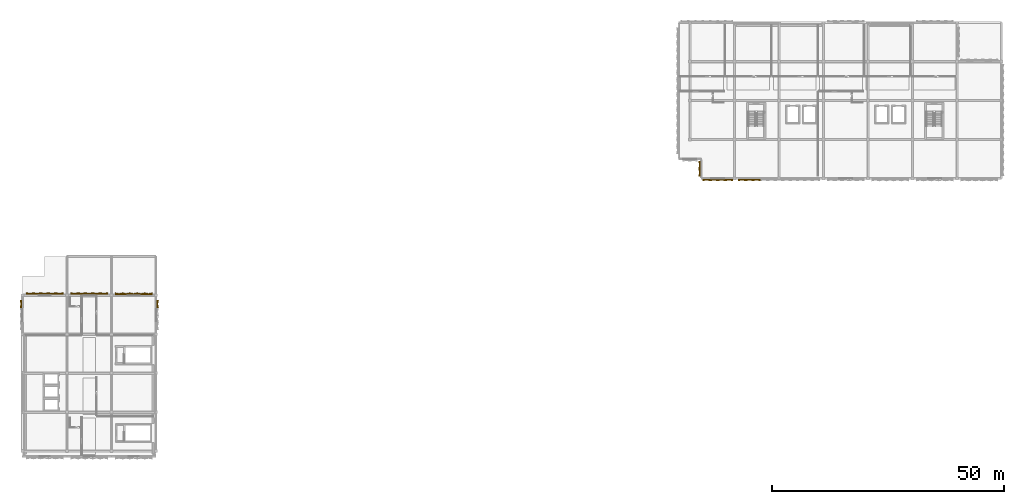
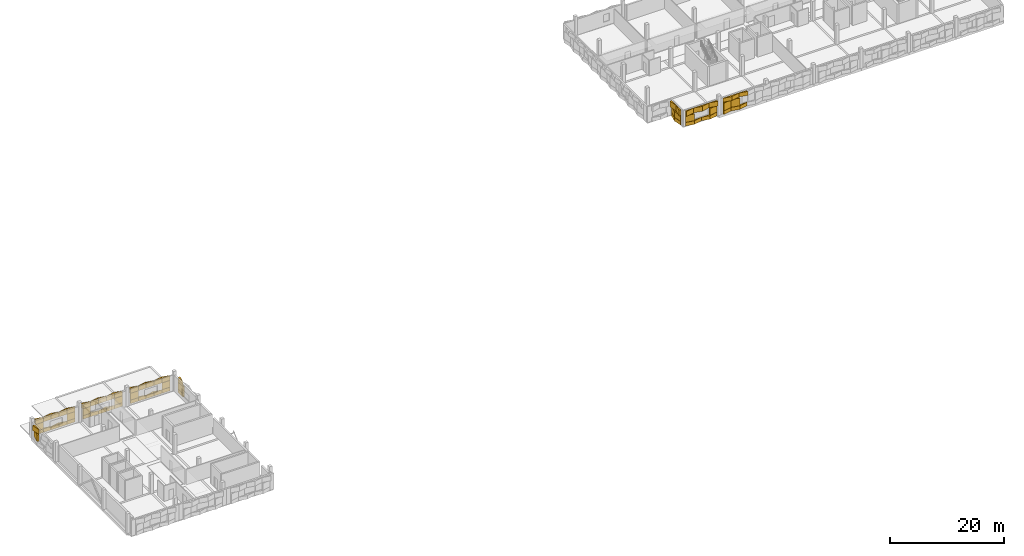
# One storey, part 13 of 18: 65 coverings.
"""IFC4 building model written with IfcOpenShell, lengths in metres."""

from ifc_helpers import new_model, si_unit, direction, frame, origin, place, context, subcontext, project, spatial, polyline, outline, extrude, material, type_object, element, save


model = new_model("IFC4")

# Units and contexts
model_context = context("Model", 3, precision=1e-05, world=origin(), true_north=direction((0.0, 1.0)))
body_context = subcontext(model_context, "Body", "Model", "MODEL_VIEW")
ifc_project = project(units=[si_unit("LENGTHUNIT", "METRE"), si_unit("AREAUNIT", "SQUARE_METRE"), si_unit("VOLUMEUNIT", "CUBIC_METRE"), si_unit("PLANEANGLEUNIT", "RADIAN"), si_unit("MASSUNIT", "GRAM", prefix="KILO")], contexts=[model_context])

# Site, building, storey
site_placement = place(None, origin())
site = spatial("IfcSite", under=ifc_project, at=site_placement, CompositionType="ELEMENT")
building_placement = place(site_placement, origin())
building = spatial("IfcBuilding", under=site, at=building_placement, Name="Oolite Switchyard Hospital", CompositionType="ELEMENT")
storey_placement = place(building_placement, frame((0.0, 0.0, 26.199951171875)))
storey = spatial("IfcBuildingStorey", under=building, at=storey_placement, Name="L06", CompositionType="ELEMENT", Elevation=26.199951171875)

# Coverings
ifc_material = material(Name="Precast oolitic limestone architectural concrete C40/50", Category="masonry")
covering_type_1 = type_object("IfcCoveringType", Name="COV-CHEV-COOL", PredefinedType="CLADDING", material=ifc_material)
covering_1_placement = place(storey_placement, frame((153.199951171875, 100.659912109375, 0.050048828125), z_axis=(0.0, 0.0, 1.0), x_axis=(-1.0, 0.0, 0.0)))
element("IfcCovering", 1, at=covering_1_placement, inside=storey, type_object=covering_type_1, Name="L06 Chevron Precast Oolite Panel 1434", PredefinedType="CLADDING", context=body_context, shape_type="SweptSolid", body=[
    extrude(outline(polyline([(0.0, 0.0), (1.599853515625, 0.0), (1.599853515625, 0.385009765625), (0.0, 0.044921875), (0.0, 0.0)])), origin(), (0.0, 0.0, 1.0), 0.760009765625),
])
covering_2_placement = place(storey_placement, frame((153.199951171875, 100.659912109375, 2.2900390625), z_axis=(0.0, 0.0, 1.0), x_axis=(-1.0, 0.0, 0.0)))
element("IfcCovering", 2, at=covering_2_placement, inside=storey, type_object=covering_type_1, Name="L06 Chevron Precast Oolite Panel 1435", PredefinedType="CLADDING", context=body_context, shape_type="SweptSolid", body=[
    extrude(outline(polyline([(0.0, 0.0), (1.599853515625, 0.0), (1.599853515625, 0.044921875), (0.0, 0.385009765625), (0.0, 0.0)])), origin(), (0.0, 0.0, 1.0), 1.050048828125),
])
covering_3_placement = place(storey_placement, frame((153.199951171875, 100.659912109375, 0.830078125), z_axis=(0.0, 0.0, 1.0), x_axis=(-1.0, 0.0, 0.0)))
element("IfcCovering", 3, at=covering_3_placement, inside=storey, type_object=covering_type_1, Name="L06 Chevron Precast Oolite Panel 1436", PredefinedType="CLADDING", context=body_context, shape_type="SweptSolid", body=[
    extrude(outline(polyline([(0.0, 0.0), (1.599853515625, 0.0), (1.599853515625, 0.385009765625), (0.0, 0.044921875), (0.0, 0.0)])), origin(), (0.0, 0.0, 1.0), 1.43994140625),
])
covering_4_placement = place(storey_placement, frame((151.60009765625, 100.659912109375, 0.050048828125), z_axis=(0.0, 0.0, 1.0), x_axis=(-1.0, 0.0, 0.0)))
element("IfcCovering", 4, at=covering_4_placement, inside=storey, type_object=covering_type_1, Name="L06 Chevron Precast Oolite Panel 1437", PredefinedType="CLADDING", context=body_context, shape_type="SweptSolid", body=[
    extrude(outline(polyline([(0.0, 0.0), (1.60009765625, 0.0), (1.60009765625, 0.044921875), (0.0, 0.385009765625), (0.0, 0.0)])), origin(), (0.0, 0.0, 1.0), 0.760009765625),
])
covering_5_placement = place(storey_placement, frame((151.60009765625, 100.659912109375, 2.2900390625), z_axis=(0.0, 0.0, 1.0), x_axis=(-1.0, 0.0, 0.0)))
element("IfcCovering", 5, at=covering_5_placement, inside=storey, type_object=covering_type_1, Name="L06 Chevron Precast Oolite Panel 1438", PredefinedType="CLADDING", context=body_context, shape_type="SweptSolid", body=[
    extrude(outline(polyline([(0.0, 0.0), (1.60009765625, 0.0), (1.60009765625, 0.385009765625), (0.0, 0.044921875), (0.0, 0.0)])), origin(), (0.0, 0.0, 1.0), 1.050048828125),
])
covering_6_placement = place(storey_placement, frame((150.0, 100.659912109375, 0.050048828125), z_axis=(0.0, 0.0, 1.0), x_axis=(-1.0, 0.0, 0.0)))
element("IfcCovering", 6, at=covering_6_placement, inside=storey, type_object=covering_type_1, Name="L06 Chevron Precast Oolite Panel 1439", PredefinedType="CLADDING", context=body_context, shape_type="SweptSolid", body=[
    extrude(outline(polyline([(0.0, 0.0), (1.60009765625, 0.0), (1.60009765625, 0.385009765625), (0.0, 0.044921875), (0.0, 0.0)])), origin(), (0.0, 0.0, 1.0), 0.760009765625),
])
covering_7_placement = place(storey_placement, frame((150.0, 100.659912109375, 2.2900390625), z_axis=(0.0, 0.0, 1.0), x_axis=(-1.0, 0.0, 0.0)))
element("IfcCovering", 7, at=covering_7_placement, inside=storey, type_object=covering_type_1, Name="L06 Chevron Precast Oolite Panel 1440", PredefinedType="CLADDING", context=body_context, shape_type="SweptSolid", body=[
    extrude(outline(polyline([(0.0, 0.0), (1.60009765625, 0.0), (1.60009765625, 0.044921875), (0.0, 0.385009765625), (0.0, 0.0)])), origin(), (0.0, 0.0, 1.0), 1.050048828125),
])
covering_8_placement = place(storey_placement, frame((148.39990234375, 100.659912109375, 0.050048828125), z_axis=(0.0, 0.0, 1.0), x_axis=(-1.0, 0.0, 0.0)))
element("IfcCovering", 8, at=covering_8_placement, inside=storey, type_object=covering_type_1, Name="L06 Chevron Precast Oolite Panel 1441", PredefinedType="CLADDING", context=body_context, shape_type="SweptSolid", body=[
    extrude(outline(polyline([(0.0, 0.0), (1.599853515625, 0.0), (1.599853515625, 0.044921875), (0.0, 0.385009765625), (0.0, 0.0)])), origin(), (0.0, 0.0, 1.0), 0.760009765625),
])
covering_9_placement = place(storey_placement, frame((148.39990234375, 100.659912109375, 2.2900390625), z_axis=(0.0, 0.0, 1.0), x_axis=(-1.0, 0.0, 0.0)))
element("IfcCovering", 9, at=covering_9_placement, inside=storey, type_object=covering_type_1, Name="L06 Chevron Precast Oolite Panel 1442", PredefinedType="CLADDING", context=body_context, shape_type="SweptSolid", body=[
    extrude(outline(polyline([(0.0, 0.0), (1.599853515625, 0.0), (1.599853515625, 0.385009765625), (0.0, 0.044921875), (0.0, 0.0)])), origin(), (0.0, 0.0, 1.0), 1.050048828125),
])
covering_10_placement = place(storey_placement, frame((148.39990234375, 100.659912109375, 0.830078125), z_axis=(0.0, 0.0, 1.0), x_axis=(-1.0, 0.0, 0.0)))
element("IfcCovering", 10, at=covering_10_placement, inside=storey, type_object=covering_type_1, Name="L06 Chevron Precast Oolite Panel 1443", PredefinedType="CLADDING", context=body_context, shape_type="SweptSolid", body=[
    extrude(outline(polyline([(0.0, 0.0), (1.599853515625, 0.0), (1.599853515625, 0.044921875), (0.0, 0.385009765625), (0.0, 0.0)])), origin(), (0.0, 0.0, 1.0), 1.43994140625),
])
covering_11_placement = place(storey_placement, frame((159.199951171875, 100.64990234375, 0.050048828125), z_axis=(0.0, 0.0, 1.0), x_axis=(-1.0, 0.0, 0.0)))
element("IfcCovering", 11, at=covering_11_placement, inside=storey, type_object=covering_type_1, Name="L06 Chevron Precast Oolite Panel 1465", PredefinedType="CLADDING", context=body_context, shape_type="SweptSolid", body=[
    extrude(outline(polyline([(0.0, 0.0), (1.599853515625, 0.0), (1.599853515625, 0.385009765625), (0.0, 0.044921875), (0.0, 0.0)])), origin(), (0.0, 0.0, 1.0), 0.760009765625),
])
covering_12_placement = place(storey_placement, frame((159.199951171875, 100.64990234375, 2.489990234375), z_axis=(0.0, 0.0, 1.0), x_axis=(-1.0, 0.0, 0.0)))
element("IfcCovering", 12, at=covering_12_placement, inside=storey, type_object=covering_type_1, Name="L06 Chevron Precast Oolite Panel 1466", PredefinedType="CLADDING", context=body_context, shape_type="SweptSolid", body=[
    extrude(outline(polyline([(0.0, 0.0), (1.599853515625, 0.0), (1.599853515625, 0.044921875), (0.0, 0.385009765625), (0.0, 0.0)])), origin(), (0.0, 0.0, 1.0), 0.85009765625),
])
covering_13_placement = place(storey_placement, frame((157.60009765625, 100.64990234375, 0.050048828125), z_axis=(0.0, 0.0, 1.0), x_axis=(-1.0, 0.0, 0.0)))
element("IfcCovering", 13, at=covering_13_placement, inside=storey, type_object=covering_type_1, Name="L06 Chevron Precast Oolite Panel 1467", PredefinedType="CLADDING", context=body_context, shape_type="SweptSolid", body=[
    extrude(outline(polyline([(0.0, 0.0), (1.60009765625, 0.0), (1.60009765625, 0.044921875), (0.0, 0.385009765625), (0.0, 0.0)])), origin(), (0.0, 0.0, 1.0), 0.760009765625),
])
covering_14_placement = place(storey_placement, frame((157.60009765625, 100.64990234375, 2.489990234375), z_axis=(0.0, 0.0, 1.0), x_axis=(-1.0, 0.0, 0.0)))
element("IfcCovering", 14, at=covering_14_placement, inside=storey, type_object=covering_type_1, Name="L06 Chevron Precast Oolite Panel 1468", PredefinedType="CLADDING", context=body_context, shape_type="SweptSolid", body=[
    extrude(outline(polyline([(0.0, 0.0), (1.60009765625, 0.0), (1.60009765625, 0.385009765625), (0.0, 0.044921875), (0.0, 0.0)])), origin(), (0.0, 0.0, 1.0), 0.85009765625),
])
covering_15_placement = place(storey_placement, frame((157.60009765625, 100.64990234375, 0.830078125), z_axis=(0.0, 0.0, 1.0), x_axis=(-1.0, 0.0, 0.0)))
element("IfcCovering", 15, at=covering_15_placement, inside=storey, type_object=covering_type_1, Name="L06 Chevron Precast Oolite Panel 1469", PredefinedType="CLADDING", context=body_context, shape_type="SweptSolid", body=[
    extrude(outline(polyline([(0.0, 0.0), (1.60009765625, 0.0), (1.60009765625, 0.044921875), (0.0, 0.385009765625), (0.0, 0.0)])), origin(), (0.0, 0.0, 1.0), 1.639892578125),
])
covering_16_placement = place(storey_placement, frame((156.0, 100.64990234375, 0.050048828125), z_axis=(0.0, 0.0, 1.0), x_axis=(-1.0, 0.0, 0.0)))
element("IfcCovering", 16, at=covering_16_placement, inside=storey, type_object=covering_type_1, Name="L06 Chevron Precast Oolite Panel 1470", PredefinedType="CLADDING", context=body_context, shape_type="SweptSolid", body=[
    extrude(outline(polyline([(0.0, 0.0), (1.60009765625, 0.0), (1.60009765625, 0.385009765625), (0.0, 0.044921875), (0.0, 0.0)])), origin(), (0.0, 0.0, 1.0), 0.760009765625),
])
covering_17_placement = place(storey_placement, frame((156.0, 100.64990234375, 2.489990234375), z_axis=(0.0, 0.0, 1.0), x_axis=(-1.0, 0.0, 0.0)))
element("IfcCovering", 17, at=covering_17_placement, inside=storey, type_object=covering_type_1, Name="L06 Chevron Precast Oolite Panel 1471", PredefinedType="CLADDING", context=body_context, shape_type="SweptSolid", body=[
    extrude(outline(polyline([(0.0, 0.0), (1.60009765625, 0.0), (1.60009765625, 0.044921875), (0.0, 0.385009765625), (0.0, 0.0)])), origin(), (0.0, 0.0, 1.0), 0.85009765625),
])
covering_18_placement = place(storey_placement, frame((156.0, 100.64990234375, 0.830078125), z_axis=(0.0, 0.0, 1.0), x_axis=(-1.0, 0.0, 0.0)))
element("IfcCovering", 18, at=covering_18_placement, inside=storey, type_object=covering_type_1, Name="L06 Chevron Precast Oolite Panel 1472", PredefinedType="CLADDING", context=body_context, shape_type="SweptSolid", body=[
    extrude(outline(polyline([(0.0, 0.0), (1.60009765625, 0.0), (1.60009765625, 0.385009765625), (0.0, 0.044921875), (0.0, 0.0)])), origin(), (0.0, 0.0, 1.0), 1.639892578125),
])
covering_19_placement = place(storey_placement, frame((146.260009765625, 101.300048828125, 0.050048828125), z_axis=(0.0, 0.0, 1.0), x_axis=(0.0, 1.0, 0.0)))
element("IfcCovering", 19, at=covering_19_placement, inside=storey, type_object=covering_type_1, Name="L06 Chevron Precast Oolite Panel 1642", PredefinedType="CLADDING", context=body_context, shape_type="SweptSolid", body=[
    extrude(outline(polyline([(0.0, 0.0), (1.599853515625, 0.0), (1.599853515625, 0.385009765625), (0.0, 0.044921875), (0.0, 0.0)])), origin(), (0.0, 0.0, 1.0), 0.760009765625),
])
covering_20_placement = place(storey_placement, frame((146.260009765625, 101.300048828125, 2.090087890625), z_axis=(0.0, 0.0, 1.0), x_axis=(0.0, 1.0, 0.0)))
element("IfcCovering", 20, at=covering_20_placement, inside=storey, type_object=covering_type_1, Name="L06 Chevron Precast Oolite Panel 1643", PredefinedType="CLADDING", context=body_context, shape_type="SweptSolid", body=[
    extrude(outline(polyline([(0.0, 0.0), (1.599853515625, 0.0), (1.599853515625, 0.044921875), (0.0, 0.385009765625), (0.0, 0.0)])), origin(), (0.0, 0.0, 1.0), 1.25),
])
covering_21_placement = place(storey_placement, frame((146.260009765625, 101.300048828125, 0.830078125), z_axis=(0.0, 0.0, 1.0), x_axis=(0.0, 1.0, 0.0)))
element("IfcCovering", 21, at=covering_21_placement, inside=storey, type_object=covering_type_1, Name="L06 Chevron Precast Oolite Panel 1644", PredefinedType="CLADDING", context=body_context, shape_type="SweptSolid", body=[
    extrude(outline(polyline([(0.0, 0.0), (1.599853515625, 0.0), (1.599853515625, 0.385009765625), (0.0, 0.044921875), (0.0, 0.0)])), origin(), (0.0, 0.0, 1.0), 1.239990234375),
])
covering_22_placement = place(storey_placement, frame((146.260009765625, 102.89990234375, 0.050048828125), z_axis=(0.0, 0.0, 1.0), x_axis=(0.0, 1.0, 0.0)))
element("IfcCovering", 22, at=covering_22_placement, inside=storey, type_object=covering_type_1, Name="L06 Chevron Precast Oolite Panel 1645", PredefinedType="CLADDING", context=body_context, shape_type="SweptSolid", body=[
    extrude(outline(polyline([(0.0, 0.0), (1.60009765625, 0.0), (1.60009765625, 0.044921875), (0.0, 0.385009765625), (0.0, 0.0)])), origin(), (0.0, 0.0, 1.0), 0.760009765625),
])
covering_23_placement = place(storey_placement, frame((146.260009765625, 102.89990234375, 2.090087890625), z_axis=(0.0, 0.0, 1.0), x_axis=(0.0, 1.0, 0.0)))
element("IfcCovering", 23, at=covering_23_placement, inside=storey, type_object=covering_type_1, Name="L06 Chevron Precast Oolite Panel 1646", PredefinedType="CLADDING", context=body_context, shape_type="SweptSolid", body=[
    extrude(outline(polyline([(0.0, 0.0), (1.60009765625, 0.0), (1.60009765625, 0.385009765625), (0.0, 0.044921875), (0.0, 0.0)])), origin(), (0.0, 0.0, 1.0), 1.25),
])
covering_24_placement = place(storey_placement, frame((146.260009765625, 102.89990234375, 0.830078125), z_axis=(0.0, 0.0, 1.0), x_axis=(0.0, 1.0, 0.0)))
element("IfcCovering", 24, at=covering_24_placement, inside=storey, type_object=covering_type_1, Name="L06 Chevron Precast Oolite Panel 1647", PredefinedType="CLADDING", context=body_context, shape_type="SweptSolid", body=[
    extrude(outline(polyline([(0.0, 0.0), (1.60009765625, 0.0), (1.60009765625, 0.044921875), (0.0, 0.385009765625), (0.0, 0.0)])), origin(), (0.0, 0.0, 1.0), 1.239990234375),
])
covering_type_2 = type_object("IfcCoveringType", Name="COV-CHEV-WARM", PredefinedType="CLADDING", material=ifc_material)
covering_25_placement = place(storey_placement, frame((0.800048828125, 75.780029296875, 0.050048828125), z_axis=(0.0, 0.0, 1.0), x_axis=(1.0, 0.0, 0.0)))
element("IfcCovering", 25, at=covering_25_placement, inside=storey, type_object=covering_type_2, Name="L06 Chevron Precast Oolite Panel 1398", PredefinedType="CLADDING", context=body_context, shape_type="SweptSolid", body=[
    extrude(outline(polyline([(0.0, 0.0), (1.599853515625, 0.0), (1.599853515625, 0.385009765625), (0.0, 0.044921875), (0.0, 0.0)])), origin(), (0.0, 0.0, 1.0), 0.760009765625),
])
covering_26_placement = place(storey_placement, frame((0.800048828125, 75.780029296875, 2.2900390625), z_axis=(0.0, 0.0, 1.0), x_axis=(1.0, 0.0, 0.0)))
element("IfcCovering", 26, at=covering_26_placement, inside=storey, type_object=covering_type_2, Name="L06 Chevron Precast Oolite Panel 1399", PredefinedType="CLADDING", context=body_context, shape_type="SweptSolid", body=[
    extrude(outline(polyline([(0.0, 0.0), (1.599853515625, 0.0), (1.599853515625, 0.044921875), (0.0, 0.385009765625), (0.0, 0.0)])), origin(), (0.0, 0.0, 1.0), 1.050048828125),
])
covering_27_placement = place(storey_placement, frame((0.800048828125, 75.780029296875, 0.830078125), z_axis=(0.0, 0.0, 1.0), x_axis=(1.0, 0.0, 0.0)))
element("IfcCovering", 27, at=covering_27_placement, inside=storey, type_object=covering_type_2, Name="L06 Chevron Precast Oolite Panel 1400", PredefinedType="CLADDING", context=body_context, shape_type="SweptSolid", body=[
    extrude(outline(polyline([(0.0, 0.0), (1.599853515625, 0.0), (1.599853515625, 0.385009765625), (0.0, 0.044921875), (0.0, 0.0)])), origin(), (0.0, 0.0, 1.0), 1.43994140625),
])
covering_28_placement = place(storey_placement, frame((2.39990234375, 75.780029296875, 0.050048828125), z_axis=(0.0, 0.0, 1.0), x_axis=(1.0, 0.0, 0.0)))
element("IfcCovering", 28, at=covering_28_placement, inside=storey, type_object=covering_type_2, Name="L06 Chevron Precast Oolite Panel 1401", PredefinedType="CLADDING", context=body_context, shape_type="SweptSolid", body=[
    extrude(outline(polyline([(0.0, 0.0), (1.60009765625, 0.0), (1.60009765625, 0.044921875), (0.0, 0.385009765625), (0.0, 0.0)])), origin(), (0.0, 0.0, 1.0), 0.760009765625),
])
covering_29_placement = place(storey_placement, frame((2.39990234375, 75.780029296875, 2.2900390625), z_axis=(0.0, 0.0, 1.0), x_axis=(1.0, 0.0, 0.0)))
element("IfcCovering", 29, at=covering_29_placement, inside=storey, type_object=covering_type_2, Name="L06 Chevron Precast Oolite Panel 1402", PredefinedType="CLADDING", context=body_context, shape_type="SweptSolid", body=[
    extrude(outline(polyline([(0.0, 0.0), (1.60009765625, 0.0), (1.60009765625, 0.385009765625), (0.0, 0.044921875), (0.0, 0.0)])), origin(), (0.0, 0.0, 1.0), 1.050048828125),
])
covering_30_placement = place(storey_placement, frame((4.0, 75.780029296875, 0.050048828125), z_axis=(0.0, 0.0, 1.0), x_axis=(1.0, 0.0, 0.0)))
element("IfcCovering", 30, at=covering_30_placement, inside=storey, type_object=covering_type_2, Name="L06 Chevron Precast Oolite Panel 1403", PredefinedType="CLADDING", context=body_context, shape_type="SweptSolid", body=[
    extrude(outline(polyline([(0.0, 0.0), (1.60009765625, 0.0), (1.60009765625, 0.385009765625), (0.0, 0.044921875), (0.0, 0.0)])), origin(), (0.0, 0.0, 1.0), 0.760009765625),
])
covering_31_placement = place(storey_placement, frame((4.0, 75.780029296875, 2.2900390625), z_axis=(0.0, 0.0, 1.0), x_axis=(1.0, 0.0, 0.0)))
element("IfcCovering", 31, at=covering_31_placement, inside=storey, type_object=covering_type_2, Name="L06 Chevron Precast Oolite Panel 1404", PredefinedType="CLADDING", context=body_context, shape_type="SweptSolid", body=[
    extrude(outline(polyline([(0.0, 0.0), (1.60009765625, 0.0), (1.60009765625, 0.044921875), (0.0, 0.385009765625), (0.0, 0.0)])), origin(), (0.0, 0.0, 1.0), 1.050048828125),
])
covering_32_placement = place(storey_placement, frame((5.60009765625, 75.780029296875, 0.050048828125), z_axis=(0.0, 0.0, 1.0), x_axis=(1.0, 0.0, 0.0)))
element("IfcCovering", 32, at=covering_32_placement, inside=storey, type_object=covering_type_2, Name="L06 Chevron Precast Oolite Panel 1405", PredefinedType="CLADDING", context=body_context, shape_type="SweptSolid", body=[
    extrude(outline(polyline([(0.0, 0.0), (1.599853515625, 0.0), (1.599853515625, 0.044921875), (0.0, 0.385009765625), (0.0, 0.0)])), origin(), (0.0, 0.0, 1.0), 0.760009765625),
])
covering_33_placement = place(storey_placement, frame((5.60009765625, 75.780029296875, 2.2900390625), z_axis=(0.0, 0.0, 1.0), x_axis=(1.0, 0.0, 0.0)))
element("IfcCovering", 33, at=covering_33_placement, inside=storey, type_object=covering_type_2, Name="L06 Chevron Precast Oolite Panel 1406", PredefinedType="CLADDING", context=body_context, shape_type="SweptSolid", body=[
    extrude(outline(polyline([(0.0, 0.0), (1.599853515625, 0.0), (1.599853515625, 0.385009765625), (0.0, 0.044921875), (0.0, 0.0)])), origin(), (0.0, 0.0, 1.0), 1.050048828125),
])
covering_34_placement = place(storey_placement, frame((7.199951171875, 75.780029296875, 0.050048828125), z_axis=(0.0, 0.0, 1.0), x_axis=(1.0, 0.0, 0.0)))
element("IfcCovering", 34, at=covering_34_placement, inside=storey, type_object=covering_type_2, Name="L06 Chevron Precast Oolite Panel 1407", PredefinedType="CLADDING", context=body_context, shape_type="SweptSolid", body=[
    extrude(outline(polyline([(0.0, 0.0), (1.60009765625, 0.0), (1.60009765625, 0.385009765625), (0.0, 0.044921875), (0.0, 0.0)])), origin(), (0.0, 0.0, 1.0), 0.760009765625),
])
covering_35_placement = place(storey_placement, frame((7.199951171875, 75.780029296875, 2.2900390625), z_axis=(0.0, 0.0, 1.0), x_axis=(1.0, 0.0, 0.0)))
element("IfcCovering", 35, at=covering_35_placement, inside=storey, type_object=covering_type_2, Name="L06 Chevron Precast Oolite Panel 1408", PredefinedType="CLADDING", context=body_context, shape_type="SweptSolid", body=[
    extrude(outline(polyline([(0.0, 0.0), (1.60009765625, 0.0), (1.60009765625, 0.044921875), (0.0, 0.385009765625), (0.0, 0.0)])), origin(), (0.0, 0.0, 1.0), 1.050048828125),
])
covering_36_placement = place(storey_placement, frame((7.199951171875, 75.780029296875, 0.830078125), z_axis=(0.0, 0.0, 1.0), x_axis=(1.0, 0.0, 0.0)))
element("IfcCovering", 36, at=covering_36_placement, inside=storey, type_object=covering_type_2, Name="L06 Chevron Precast Oolite Panel 1409", PredefinedType="CLADDING", context=body_context, shape_type="SweptSolid", body=[
    extrude(outline(polyline([(0.0, 0.0), (1.60009765625, 0.0), (1.60009765625, 0.385009765625), (0.0, 0.044921875), (0.0, 0.0)])), origin(), (0.0, 0.0, 1.0), 1.43994140625),
])
covering_37_placement = place(storey_placement, frame((10.39990234375, 75.7900390625, 0.050048828125), z_axis=(0.0, 0.0, 1.0), x_axis=(1.0, 0.0, 0.0)))
element("IfcCovering", 37, at=covering_37_placement, inside=storey, type_object=covering_type_2, Name="L06 Chevron Precast Oolite Panel 1410", PredefinedType="CLADDING", context=body_context, shape_type="SweptSolid", body=[
    extrude(outline(polyline([(0.0, 0.0), (1.60009765625, 0.0), (1.60009765625, 0.385009765625), (0.0, 0.044921875), (0.0, 0.0)])), origin(), (0.0, 0.0, 1.0), 0.760009765625),
])
covering_38_placement = place(storey_placement, frame((10.39990234375, 75.7900390625, 2.2900390625), z_axis=(0.0, 0.0, 1.0), x_axis=(1.0, 0.0, 0.0)))
element("IfcCovering", 38, at=covering_38_placement, inside=storey, type_object=covering_type_2, Name="L06 Chevron Precast Oolite Panel 1411", PredefinedType="CLADDING", context=body_context, shape_type="SweptSolid", body=[
    extrude(outline(polyline([(0.0, 0.0), (1.60009765625, 0.0), (1.60009765625, 0.044921875), (0.0, 0.385009765625), (0.0, 0.0)])), origin(), (0.0, 0.0, 1.0), 1.050048828125),
])
covering_39_placement = place(storey_placement, frame((10.39990234375, 75.7900390625, 0.830078125), z_axis=(0.0, 0.0, 1.0), x_axis=(1.0, 0.0, 0.0)))
element("IfcCovering", 39, at=covering_39_placement, inside=storey, type_object=covering_type_2, Name="L06 Chevron Precast Oolite Panel 1412", PredefinedType="CLADDING", context=body_context, shape_type="SweptSolid", body=[
    extrude(outline(polyline([(0.0, 0.0), (1.60009765625, 0.0), (1.60009765625, 0.385009765625), (0.0, 0.044921875), (0.0, 0.0)])), origin(), (0.0, 0.0, 1.0), 1.43994140625),
])
covering_40_placement = place(storey_placement, frame((12.0, 75.7900390625, 0.050048828125), z_axis=(0.0, 0.0, 1.0), x_axis=(1.0, 0.0, 0.0)))
element("IfcCovering", 40, at=covering_40_placement, inside=storey, type_object=covering_type_2, Name="L06 Chevron Precast Oolite Panel 1413", PredefinedType="CLADDING", context=body_context, shape_type="SweptSolid", body=[
    extrude(outline(polyline([(0.0, 0.0), (1.60009765625, 0.0), (1.60009765625, 0.044921875), (0.0, 0.385009765625), (0.0, 0.0)])), origin(), (0.0, 0.0, 1.0), 0.760009765625),
])
covering_41_placement = place(storey_placement, frame((12.0, 75.7900390625, 2.2900390625), z_axis=(0.0, 0.0, 1.0), x_axis=(1.0, 0.0, 0.0)))
element("IfcCovering", 41, at=covering_41_placement, inside=storey, type_object=covering_type_2, Name="L06 Chevron Precast Oolite Panel 1414", PredefinedType="CLADDING", context=body_context, shape_type="SweptSolid", body=[
    extrude(outline(polyline([(0.0, 0.0), (1.60009765625, 0.0), (1.60009765625, 0.385009765625), (0.0, 0.044921875), (0.0, 0.0)])), origin(), (0.0, 0.0, 1.0), 1.050048828125),
])
covering_42_placement = place(storey_placement, frame((13.60009765625, 75.7900390625, 0.050048828125), z_axis=(0.0, 0.0, 1.0), x_axis=(1.0, 0.0, 0.0)))
element("IfcCovering", 42, at=covering_42_placement, inside=storey, type_object=covering_type_2, Name="L06 Chevron Precast Oolite Panel 1415", PredefinedType="CLADDING", context=body_context, shape_type="SweptSolid", body=[
    extrude(outline(polyline([(0.0, 0.0), (1.599853515625, 0.0), (1.599853515625, 0.385009765625), (0.0, 0.044921875), (0.0, 0.0)])), origin(), (0.0, 0.0, 1.0), 0.760009765625),
])
covering_43_placement = place(storey_placement, frame((13.60009765625, 75.7900390625, 2.2900390625), z_axis=(0.0, 0.0, 1.0), x_axis=(1.0, 0.0, 0.0)))
element("IfcCovering", 43, at=covering_43_placement, inside=storey, type_object=covering_type_2, Name="L06 Chevron Precast Oolite Panel 1416", PredefinedType="CLADDING", context=body_context, shape_type="SweptSolid", body=[
    extrude(outline(polyline([(0.0, 0.0), (1.599853515625, 0.0), (1.599853515625, 0.044921875), (0.0, 0.385009765625), (0.0, 0.0)])), origin(), (0.0, 0.0, 1.0), 1.050048828125),
])
covering_44_placement = place(storey_placement, frame((15.199951171875, 75.7900390625, 0.050048828125), z_axis=(0.0, 0.0, 1.0), x_axis=(1.0, 0.0, 0.0)))
element("IfcCovering", 44, at=covering_44_placement, inside=storey, type_object=covering_type_2, Name="L06 Chevron Precast Oolite Panel 1417", PredefinedType="CLADDING", context=body_context, shape_type="SweptSolid", body=[
    extrude(outline(polyline([(0.0, 0.0), (1.60009765625, 0.0), (1.60009765625, 0.044921875), (0.0, 0.385009765625), (0.0, 0.0)])), origin(), (0.0, 0.0, 1.0), 0.760009765625),
])
covering_45_placement = place(storey_placement, frame((15.199951171875, 75.7900390625, 2.2900390625), z_axis=(0.0, 0.0, 1.0), x_axis=(1.0, 0.0, 0.0)))
element("IfcCovering", 45, at=covering_45_placement, inside=storey, type_object=covering_type_2, Name="L06 Chevron Precast Oolite Panel 1418", PredefinedType="CLADDING", context=body_context, shape_type="SweptSolid", body=[
    extrude(outline(polyline([(0.0, 0.0), (1.60009765625, 0.0), (1.60009765625, 0.385009765625), (0.0, 0.044921875), (0.0, 0.0)])), origin(), (0.0, 0.0, 1.0), 1.050048828125),
])
covering_46_placement = place(storey_placement, frame((16.800048828125, 75.7900390625, 0.050048828125), z_axis=(0.0, 0.0, 1.0), x_axis=(1.0, 0.0, 0.0)))
element("IfcCovering", 46, at=covering_46_placement, inside=storey, type_object=covering_type_2, Name="L06 Chevron Precast Oolite Panel 1419", PredefinedType="CLADDING", context=body_context, shape_type="SweptSolid", body=[
    extrude(outline(polyline([(0.0, 0.0), (1.599853515625, 0.0), (1.599853515625, 0.385009765625), (0.0, 0.044921875), (0.0, 0.0)])), origin(), (0.0, 0.0, 1.0), 0.760009765625),
])
covering_47_placement = place(storey_placement, frame((16.800048828125, 75.7900390625, 2.2900390625), z_axis=(0.0, 0.0, 1.0), x_axis=(1.0, 0.0, 0.0)))
element("IfcCovering", 47, at=covering_47_placement, inside=storey, type_object=covering_type_2, Name="L06 Chevron Precast Oolite Panel 1420", PredefinedType="CLADDING", context=body_context, shape_type="SweptSolid", body=[
    extrude(outline(polyline([(0.0, 0.0), (1.599853515625, 0.0), (1.599853515625, 0.044921875), (0.0, 0.385009765625), (0.0, 0.0)])), origin(), (0.0, 0.0, 1.0), 1.050048828125),
])
covering_48_placement = place(storey_placement, frame((16.800048828125, 75.7900390625, 0.830078125), z_axis=(0.0, 0.0, 1.0), x_axis=(1.0, 0.0, 0.0)))
element("IfcCovering", 48, at=covering_48_placement, inside=storey, type_object=covering_type_2, Name="L06 Chevron Precast Oolite Panel 1421", PredefinedType="CLADDING", context=body_context, shape_type="SweptSolid", body=[
    extrude(outline(polyline([(0.0, 0.0), (1.599853515625, 0.0), (1.599853515625, 0.385009765625), (0.0, 0.044921875), (0.0, 0.0)])), origin(), (0.0, 0.0, 1.0), 1.43994140625),
])
covering_49_placement = place(storey_placement, frame((20.0, 75.72998046875, 0.050048828125), z_axis=(0.0, 0.0, 1.0), x_axis=(1.0, 0.0, 0.0)))
element("IfcCovering", 49, at=covering_49_placement, inside=storey, type_object=covering_type_2, Name="L06 Chevron Precast Oolite Panel 1422", PredefinedType="CLADDING", context=body_context, shape_type="SweptSolid", body=[
    extrude(outline(polyline([(0.0, 0.0), (1.60009765625, 0.0), (1.60009765625, 0.385009765625), (0.0, 0.044921875), (0.0, 0.0)])), origin(), (0.0, 0.0, 1.0), 0.760009765625),
])
covering_50_placement = place(storey_placement, frame((20.0, 75.72998046875, 2.2900390625), z_axis=(0.0, 0.0, 1.0), x_axis=(1.0, 0.0, 0.0)))
element("IfcCovering", 50, at=covering_50_placement, inside=storey, type_object=covering_type_2, Name="L06 Chevron Precast Oolite Panel 1423", PredefinedType="CLADDING", context=body_context, shape_type="SweptSolid", body=[
    extrude(outline(polyline([(0.0, 0.0), (1.60009765625, 0.0), (1.60009765625, 0.044921875), (0.0, 0.385009765625), (0.0, 0.0)])), origin(), (0.0, 0.0, 1.0), 1.050048828125),
])
covering_51_placement = place(storey_placement, frame((20.0, 75.72998046875, 0.830078125), z_axis=(0.0, 0.0, 1.0), x_axis=(1.0, 0.0, 0.0)))
element("IfcCovering", 51, at=covering_51_placement, inside=storey, type_object=covering_type_2, Name="L06 Chevron Precast Oolite Panel 1424", PredefinedType="CLADDING", context=body_context, shape_type="SweptSolid", body=[
    extrude(outline(polyline([(0.0, 0.0), (1.60009765625, 0.0), (1.60009765625, 0.385009765625), (0.0, 0.044921875), (0.0, 0.0)])), origin(), (0.0, 0.0, 1.0), 1.43994140625),
])
covering_52_placement = place(storey_placement, frame((21.60009765625, 75.72998046875, 0.050048828125), z_axis=(0.0, 0.0, 1.0), x_axis=(1.0, 0.0, 0.0)))
element("IfcCovering", 52, at=covering_52_placement, inside=storey, type_object=covering_type_2, Name="L06 Chevron Precast Oolite Panel 1425", PredefinedType="CLADDING", context=body_context, shape_type="SweptSolid", body=[
    extrude(outline(polyline([(0.0, 0.0), (1.599853515625, 0.0), (1.599853515625, 0.044921875), (0.0, 0.385009765625), (0.0, 0.0)])), origin(), (0.0, 0.0, 1.0), 0.760009765625),
])
covering_53_placement = place(storey_placement, frame((21.60009765625, 75.72998046875, 2.2900390625), z_axis=(0.0, 0.0, 1.0), x_axis=(1.0, 0.0, 0.0)))
element("IfcCovering", 53, at=covering_53_placement, inside=storey, type_object=covering_type_2, Name="L06 Chevron Precast Oolite Panel 1426", PredefinedType="CLADDING", context=body_context, shape_type="SweptSolid", body=[
    extrude(outline(polyline([(0.0, 0.0), (1.599853515625, 0.0), (1.599853515625, 0.385009765625), (0.0, 0.044921875), (0.0, 0.0)])), origin(), (0.0, 0.0, 1.0), 1.050048828125),
])
covering_54_placement = place(storey_placement, frame((23.199951171875, 75.72998046875, 0.050048828125), z_axis=(0.0, 0.0, 1.0), x_axis=(1.0, 0.0, 0.0)))
element("IfcCovering", 54, at=covering_54_placement, inside=storey, type_object=covering_type_2, Name="L06 Chevron Precast Oolite Panel 1427", PredefinedType="CLADDING", context=body_context, shape_type="SweptSolid", body=[
    extrude(outline(polyline([(0.0, 0.0), (1.60009765625, 0.0), (1.60009765625, 0.385009765625), (0.0, 0.044921875), (0.0, 0.0)])), origin(), (0.0, 0.0, 1.0), 0.760009765625),
])
covering_55_placement = place(storey_placement, frame((23.199951171875, 75.72998046875, 2.2900390625), z_axis=(0.0, 0.0, 1.0), x_axis=(1.0, 0.0, 0.0)))
element("IfcCovering", 55, at=covering_55_placement, inside=storey, type_object=covering_type_2, Name="L06 Chevron Precast Oolite Panel 1428", PredefinedType="CLADDING", context=body_context, shape_type="SweptSolid", body=[
    extrude(outline(polyline([(0.0, 0.0), (1.60009765625, 0.0), (1.60009765625, 0.044921875), (0.0, 0.385009765625), (0.0, 0.0)])), origin(), (0.0, 0.0, 1.0), 1.050048828125),
])
covering_56_placement = place(storey_placement, frame((24.800048828125, 75.72998046875, 0.050048828125), z_axis=(0.0, 0.0, 1.0), x_axis=(1.0, 0.0, 0.0)))
element("IfcCovering", 56, at=covering_56_placement, inside=storey, type_object=covering_type_2, Name="L06 Chevron Precast Oolite Panel 1429", PredefinedType="CLADDING", context=body_context, shape_type="SweptSolid", body=[
    extrude(outline(polyline([(0.0, 0.0), (1.599853515625, 0.0), (1.599853515625, 0.044921875), (0.0, 0.385009765625), (0.0, 0.0)])), origin(), (0.0, 0.0, 1.0), 0.760009765625),
])
covering_57_placement = place(storey_placement, frame((24.800048828125, 75.72998046875, 2.2900390625), z_axis=(0.0, 0.0, 1.0), x_axis=(1.0, 0.0, 0.0)))
element("IfcCovering", 57, at=covering_57_placement, inside=storey, type_object=covering_type_2, Name="L06 Chevron Precast Oolite Panel 1430", PredefinedType="CLADDING", context=body_context, shape_type="SweptSolid", body=[
    extrude(outline(polyline([(0.0, 0.0), (1.599853515625, 0.0), (1.599853515625, 0.385009765625), (0.0, 0.044921875), (0.0, 0.0)])), origin(), (0.0, 0.0, 1.0), 1.050048828125),
])
covering_58_placement = place(storey_placement, frame((26.39990234375, 75.72998046875, 0.050048828125), z_axis=(0.0, 0.0, 1.0), x_axis=(1.0, 0.0, 0.0)))
element("IfcCovering", 58, at=covering_58_placement, inside=storey, type_object=covering_type_2, Name="L06 Chevron Precast Oolite Panel 1431", PredefinedType="CLADDING", context=body_context, shape_type="SweptSolid", body=[
    extrude(outline(polyline([(0.0, 0.0), (1.60009765625, 0.0), (1.60009765625, 0.385009765625), (0.0, 0.044921875), (0.0, 0.0)])), origin(), (0.0, 0.0, 1.0), 0.760009765625),
])
covering_59_placement = place(storey_placement, frame((26.39990234375, 75.72998046875, 2.2900390625), z_axis=(0.0, 0.0, 1.0), x_axis=(1.0, 0.0, 0.0)))
element("IfcCovering", 59, at=covering_59_placement, inside=storey, type_object=covering_type_2, Name="L06 Chevron Precast Oolite Panel 1432", PredefinedType="CLADDING", context=body_context, shape_type="SweptSolid", body=[
    extrude(outline(polyline([(0.0, 0.0), (1.60009765625, 0.0), (1.60009765625, 0.044921875), (0.0, 0.385009765625), (0.0, 0.0)])), origin(), (0.0, 0.0, 1.0), 1.050048828125),
])
covering_60_placement = place(storey_placement, frame((26.39990234375, 75.72998046875, 0.830078125), z_axis=(0.0, 0.0, 1.0), x_axis=(1.0, 0.0, 0.0)))
element("IfcCovering", 60, at=covering_60_placement, inside=storey, type_object=covering_type_2, Name="L06 Chevron Precast Oolite Panel 1433", PredefinedType="CLADDING", context=body_context, shape_type="SweptSolid", body=[
    extrude(outline(polyline([(0.0, 0.0), (1.60009765625, 0.0), (1.60009765625, 0.385009765625), (0.0, 0.044921875), (0.0, 0.0)])), origin(), (0.0, 0.0, 1.0), 1.43994140625),
])
covering_61_placement = place(storey_placement, frame((-0.1298828125, 72.919921875, 2.2900390625), z_axis=(0.0, 0.0, 1.0), x_axis=(0.0, 1.0, 0.0)))
element("IfcCovering", 61, at=covering_61_placement, inside=storey, type_object=covering_type_2, Name="L06 Chevron Precast Oolite Panel 1583", PredefinedType="CLADDING", context=body_context, shape_type="SweptSolid", body=[
    extrude(outline(polyline([(0.0, 0.0), (1.60009765625, 0.0), (1.60009765625, 0.385009765625), (0.0, 0.044921875), (0.0, 0.0)])), origin(), (0.0, 0.0, 1.0), 1.050048828125),
])
covering_62_placement = place(storey_placement, frame((-0.1298828125, 72.919921875, 0.830078125), z_axis=(0.0, 0.0, 1.0), x_axis=(0.0, 1.0, 0.0)))
element("IfcCovering", 62, at=covering_62_placement, inside=storey, type_object=covering_type_2, Name="L06 Chevron Precast Oolite Panel 1584", PredefinedType="CLADDING", context=body_context, shape_type="SweptSolid", body=[
    extrude(outline(polyline([(0.0, 0.0), (1.60009765625, 0.0), (1.60009765625, 0.044921875), (0.0, 0.385009765625), (0.0, 0.0)])), origin(), (0.0, 0.0, 1.0), 1.43994140625),
])
covering_63_placement = place(storey_placement, frame((28.989990234375, 74.52001953125, 0.050048828125), z_axis=(0.0, 0.0, 1.0), x_axis=(0.0, -1.0, 0.0)))
element("IfcCovering", 63, at=covering_63_placement, inside=storey, type_object=covering_type_2, Name="L06 Chevron Precast Oolite Panel 1585", PredefinedType="CLADDING", context=body_context, shape_type="SweptSolid", body=[
    extrude(outline(polyline([(0.0, 0.0), (1.60009765625, 0.0), (1.60009765625, 0.385009765625), (0.0, 0.044921875), (0.0, 0.0)])), origin(), (0.0, 0.0, 1.0), 0.760009765625),
])
covering_64_placement = place(storey_placement, frame((28.989990234375, 74.52001953125, 2.2900390625), z_axis=(0.0, 0.0, 1.0), x_axis=(0.0, -1.0, 0.0)))
element("IfcCovering", 64, at=covering_64_placement, inside=storey, type_object=covering_type_2, Name="L06 Chevron Precast Oolite Panel 1586", PredefinedType="CLADDING", context=body_context, shape_type="SweptSolid", body=[
    extrude(outline(polyline([(0.0, 0.0), (1.60009765625, 0.0), (1.60009765625, 0.044921875), (0.0, 0.385009765625), (0.0, 0.0)])), origin(), (0.0, 0.0, 1.0), 1.050048828125),
])
covering_65_placement = place(storey_placement, frame((28.989990234375, 74.52001953125, 0.830078125), z_axis=(0.0, 0.0, 1.0), x_axis=(0.0, -1.0, 0.0)))
element("IfcCovering", 65, at=covering_65_placement, inside=storey, type_object=covering_type_2, Name="L06 Chevron Precast Oolite Panel 1587", PredefinedType="CLADDING", context=body_context, shape_type="SweptSolid", body=[
    extrude(outline(polyline([(0.0, 0.0), (1.60009765625, 0.0), (1.60009765625, 0.385009765625), (0.0, 0.044921875), (0.0, 0.0)])), origin(), (0.0, 0.0, 1.0), 1.43994140625),
])

save(model, "model.ifc")
